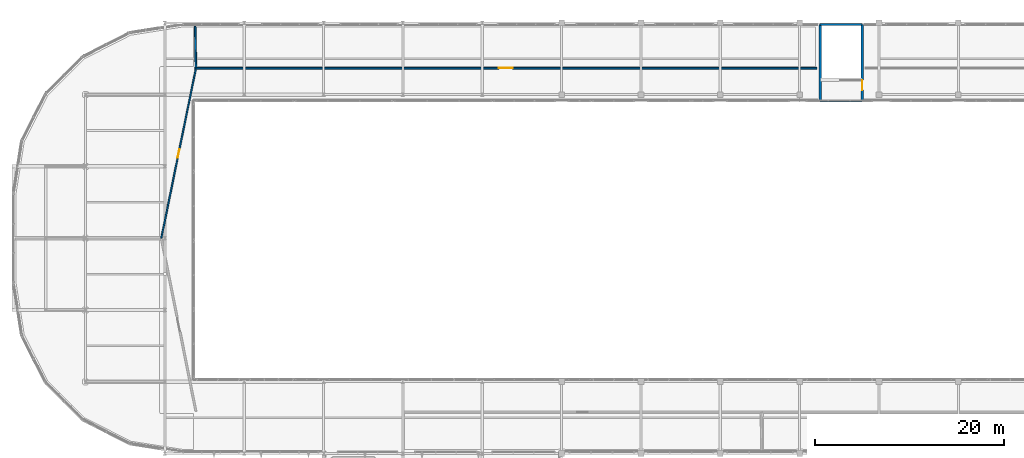
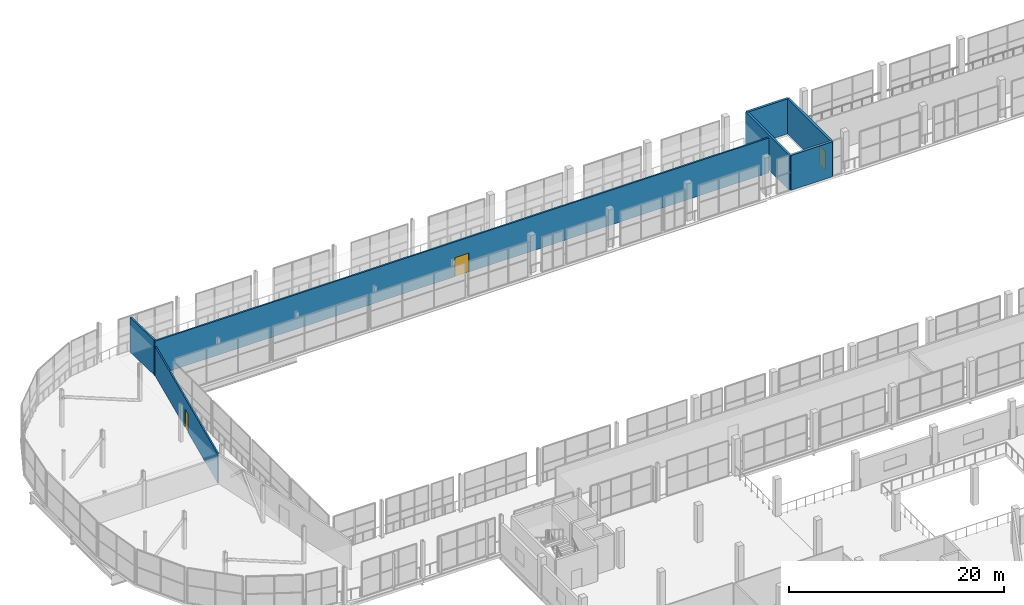
# One storey, part 131 of 151: 7 walls, 3 doors, 3 openings.
"""IFC4 building model written with IfcOpenShell, lengths in metres."""

from ifc_helpers import new_model, si_unit, direction, frame, frame_2d, origin, place, context, subcontext, project, spatial, rectangle, extrude, material, layer, layer_set, type_object, element, fill, save


model = new_model("IFC4")

# Units and contexts
model_context = context("Model", 3, precision=1e-05, world=origin(), true_north=direction((0.0, 1.0)))
body_context = subcontext(model_context, "Body", "Model", "MODEL_VIEW")
ifc_project = project(units=[si_unit("LENGTHUNIT", "METRE"), si_unit("AREAUNIT", "SQUARE_METRE"), si_unit("VOLUMEUNIT", "CUBIC_METRE"), si_unit("PLANEANGLEUNIT", "RADIAN"), si_unit("MASSUNIT", "GRAM", prefix="KILO")], contexts=[model_context])

# Site, building, storey
site_placement = place(None, origin())
site = spatial("IfcSite", under=ifc_project, at=site_placement, CompositionType="ELEMENT")
building_placement = place(site_placement, origin())
building = spatial("IfcBuilding", under=site, at=building_placement, Name="Zuvorla Pavilion Media Centre", CompositionType="ELEMENT")
storey_placement = place(building_placement, frame((0.0, 0.0, 13.800048828125)))
storey = spatial("IfcBuildingStorey", under=building, at=storey_placement, Name="L03", CompositionType="ELEMENT", Elevation=13.800048828125)

# Wall
ifc_material_1 = material(Name="Concrete C40/50", Category="concrete")
ifc_layer_1 = layer(ifc_material_1, 0.25)
ifc_layer_set_1 = layer_set([ifc_layer_1], Name="Concrete C40/50")
wall_type_1 = type_object("IfcWallType", Name="WL-COR-250", PredefinedType="SHEAR", material=ifc_layer_set_1)
wall_1_placement = place(storey_placement, frame((94.175048828125, 81.324951171875, 0.0), z_axis=(0.0, 0.0, 1.0), x_axis=(0.0, 1.0, 0.0)))
element("IfcWall", 1, at=wall_1_placement, inside=storey, type_object=wall_type_1, Name="L03 shear wall CW25 344", PredefinedType="SHEAR", context=body_context, shape_type="SweptSolid", body=[
    extrude(rectangle(XDim=8.10009765625, YDim=0.25, at=frame_2d((4.050048828125, 0.0))), origin(), (0.0, 0.0, 1.0), 3.9599609375),
])

# Wall, opening, door
wall_2_placement = place(storey_placement, frame((98.625, 81.324951171875, 0.0), z_axis=(0.0, 0.0, 1.0), x_axis=(0.0, 1.0, 0.0)))
wall_2 = element("IfcWall", 2, at=wall_2_placement, inside=storey, type_object=wall_type_1, Name="L03 shear wall CW25 345", PredefinedType="SHEAR", context=body_context, shape_type="SweptSolid", body=[
    extrude(rectangle(XDim=8.10009765625, YDim=0.25, at=frame_2d((4.050048828125, 0.0))), origin(), (0.0, 0.0, 1.0), 3.9599609375),
])
opening_1_placement = place(wall_2_placement, frame((1.14990234375, 0.0, 0.0)))
opening_1 = element("IfcOpeningElement", 3, at=opening_1_placement, cuts=wall_2, Name="Opening FD04", PredefinedType="OPENING", context=body_context, shape_type="SweptSolid", body=[
    extrude(rectangle(XDim=1.050048828125, YDim=2.10009765625, at=frame_2d((0.52490234375, 1.050048828125))), frame((0.0, 0.135009765625, 0.0), z_axis=(0.0, -1.0, 0.0), x_axis=(1.0, 0.0, 0.0)), (0.0, 0.0, 1.0), 0.27001953125),
])
ifc_material_2 = material(Name="Acoustic timber fire door leaf in steel frame", Category="steel")
door_type_1 = type_object("IfcDoorType", Name="DR-INT-FD04", OperationType="NOTDEFINED", PredefinedType="DOOR", material=ifc_material_2)
door_1_placement = place(opening_1_placement, frame((1.050048828125, 0.0, 0.0), z_axis=(0.0, 0.0, 1.0), x_axis=(-1.0, 0.0, 0.0)))
door_1 = element("IfcDoor", 4, at=door_1_placement, inside=storey, type_object=door_type_1, Name="Stair ST-05 fire door FD04 116", OperationType="SINGLE_SWING_LEFT", OverallHeight=2.10009765625, OverallWidth=1.050048828125, PredefinedType="DOOR", context=body_context, shape_type="SweptSolid", body=[
    extrude(rectangle(XDim=1.050048828125, YDim=2.10009765625, at=frame_2d((0.52490234375, 1.050048828125))), frame((0.0, 0.02490234375, 0.0), z_axis=(0.0, -1.0, 0.0), x_axis=(1.0, 0.0, 0.0)), (0.0, 0.0, 1.0), 0.050048828125),
])
fill(opening_1, door_1)

# Walls
for number, where, z_axis, x_axis, name in (
    (5, (94.175048828125, 89.425048828125, 0.0), (0.0, 0.0, 1.0), (1.0, 0.0, 0.0), "L03 shear wall CW25 346"),
    (6, (94.175048828125, 81.324951171875, 0.0), (0.0, 0.0, 1.0), (1.0, 0.0, 0.0), "L03 shear wall CW25 347"),
):
    element("IfcWall", number, at=place(storey_placement, frame(where, z_axis=z_axis, x_axis=x_axis)), inside=storey, type_object=wall_type_1, Name=name, PredefinedType="SHEAR", context=body_context, shape_type="SweptSolid", body=[
        extrude(rectangle(XDim=4.449951171875, YDim=0.25, at=frame_2d((2.22509765625, 0.0))), origin(), (0.0, 0.0, 1.0), 3.9599609375),
    ])

# Wall, opening, door
ifc_material_3 = material(Name="Acoustic gypsum stud partition")
ifc_layer_2 = layer(ifc_material_3, 0.14990234375)
ifc_layer_set_2 = layer_set([ifc_layer_2], Name="Acoustic gypsum stud partition")
wall_type_2 = type_object("IfcWallType", Name="WL-PRT-150", PredefinedType="PARTITIONING", material=ifc_layer_set_2)
wall_3_placement = place(storey_placement, frame((24.416015625, 66.788818359375, 0.0), z_axis=(0.0, 0.0, 1.0), x_axis=(0.199839528002, 0.979828639634, 0.0)))
wall_3 = element("IfcWall", 7, at=wall_3_placement, inside=storey, type_object=wall_type_2, Name="L03 partition PT15 532", PredefinedType="PARTITIONING", context=body_context, shape_type="SweptSolid", body=[
    extrude(rectangle(XDim=18.302001953125, YDim=0.14990234375, at=frame_2d((9.15087890625, 0.0))), origin(), (0.0, 0.0, 1.0), 3.314697265625),
])
opening_2_placement = place(wall_3_placement, frame((8.7109375, 0.0, 0.0)))
opening_2 = element("IfcOpeningElement", 8, at=opening_2_placement, cuts=wall_3, Name="Opening ID01", PredefinedType="OPENING", context=body_context, shape_type="SweptSolid", body=[
    extrude(rectangle(XDim=0.8798828125, YDim=2.080078125, at=frame_2d((0.43994140625, 1.0400390625))), frame((0.0, 0.0849609375, 0.0), z_axis=(0.0, -1.0, 0.0), x_axis=(1.0, 0.0, 0.0)), (0.0, 0.0, 1.0), 0.169921875),
])
ifc_material_4 = material(Name="Hardwood acoustic studio door in anodised frame", Category="wood")
door_type_2 = type_object("IfcDoorType", Name="DR-UNR-ID01", OperationType="NOTDEFINED", PredefinedType="DOOR", material=ifc_material_4)
door_2_placement = place(opening_2_placement, origin())
door_2 = element("IfcDoor", 9, at=door_2_placement, inside=storey, type_object=door_type_2, Name="Interior door ID01 232", OperationType="SINGLE_SWING_RIGHT", OverallHeight=2.080078125, OverallWidth=0.8798828125, PredefinedType="DOOR", context=body_context, shape_type="SweptSolid", body=[
    extrude(rectangle(XDim=0.8798828125, YDim=2.080078125, at=frame_2d((0.43994140625, 1.0400390625))), frame((0.0, 0.02490234375, 0.0), z_axis=(0.0, -1.0, 0.0), x_axis=(1.0, 0.0, 0.0)), (0.0, 0.0, 1.0), 0.050048828125),
])
fill(opening_2, door_2)

ifc_material_5 = material(Name="Double acoustic gypsum stud partition")
ifc_layer_3 = layer(ifc_material_5, 0.179931640625)
ifc_layer_set_3 = layer_set([ifc_layer_3], Name="Double acoustic gypsum stud partition")
wall_type_3 = type_object("IfcWallType", Name="WL-PRT-180", PredefinedType="PARTITIONING", material=ifc_layer_set_3)
wall_4_placement = place(storey_placement, frame((27.98046875, 84.800048828125, 0.0), z_axis=(0.0, 0.0, 1.0), x_axis=(1.0, 0.0, 0.0)))
wall_4 = element("IfcWall", 10, at=wall_4_placement, inside=storey, type_object=wall_type_3, Name="L03 partition PT18 531", PredefinedType="PARTITIONING", context=body_context, shape_type="SweptSolid", body=[
    extrude(rectangle(XDim=65.839111328125, YDim=0.179931640625, at=frame_2d((32.91943359375, 0.0))), origin(), (0.0, 0.0, 1.0), 3.949951171875),
])
opening_3_placement = place(wall_4_placement, frame((32.16943359375, 0.0, 0.0)))
opening_3 = element("IfcOpeningElement", 11, at=opening_3_placement, cuts=wall_4, Name="Opening FD08", PredefinedType="OPENING", context=body_context, shape_type="SweptSolid", body=[
    extrude(rectangle(XDim=1.5, YDim=2.14990234375, at=frame_2d((0.75, 1.074951171875))), frame((0.0, 0.099853515625, 0.0), z_axis=(0.0, -1.0, 0.0), x_axis=(1.0, 0.0, 0.0)), (0.0, 0.0, 1.0), 0.199951171875),
])
door_type_3 = type_object("IfcDoorType", Name="DR-INT-FD08", OperationType="NOTDEFINED", PredefinedType="DOOR", material=ifc_material_2)
door_3_placement = place(opening_3_placement, origin())
door_3 = element("IfcDoor", 12, at=door_3_placement, inside=storey, type_object=door_type_3, Name="Interior door FD08 231", OperationType="DOUBLE_DOOR_SINGLE_SWING", OverallHeight=2.14990234375, OverallWidth=1.5, PredefinedType="DOOR", context=body_context, shape_type="SweptSolid", body=[
    extrude(rectangle(XDim=1.5, YDim=2.14990234375, at=frame_2d((0.75, 1.074951171875))), frame((0.0, 0.02490234375, 0.0), z_axis=(0.0, -1.0, 0.0), x_axis=(1.0, 0.0, 0.0)), (0.0, 0.0, 1.0), 0.050048828125),
])
fill(opening_3, door_3)

# Wall
wall_5_placement = place(storey_placement, frame((28.08837890625, 84.889892578125, 0.0), z_axis=(0.0, 0.0, 1.0), x_axis=(-0.020011778824, 0.999799744303, 0.0)))
element("IfcWall", 13, at=wall_5_placement, inside=storey, type_object=wall_type_3, Name="L03 partition PT18 547", PredefinedType="PARTITIONING", context=body_context, shape_type="SweptSolid", body=[
    extrude(rectangle(XDim=4.3310546875, YDim=0.179931640625, at=frame_2d((2.16552734375, 0.0))), origin(), (0.0, 0.0, 1.0), 3.949951171875),
])

save(model, "model.ifc")
